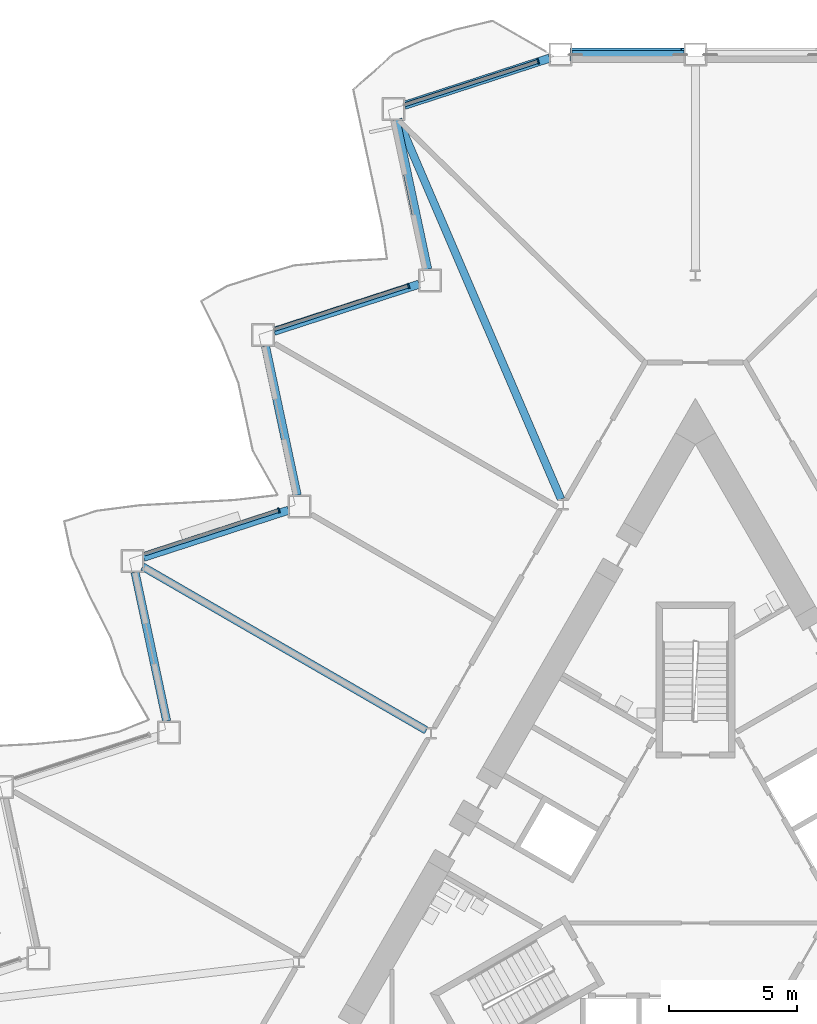
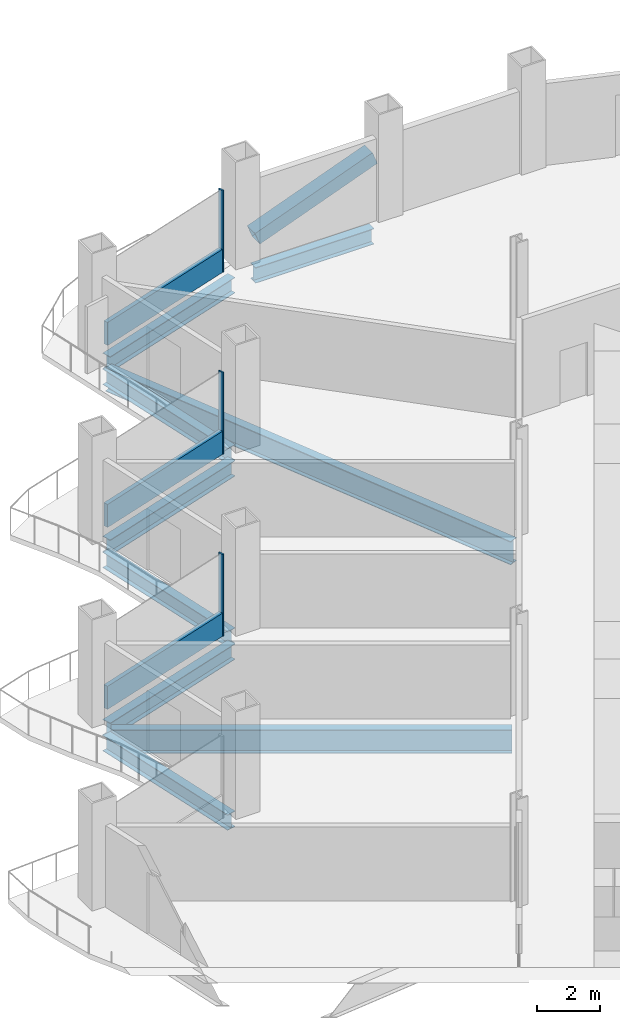
# One storey, part 7 of 21: 9 beams, 7 members, 3 elements without a shape of their own.
"""IFC4 building model written with IfcOpenShell, lengths in metres."""

from ifc_helpers import new_model, si_unit, direction, frame, origin, origin_2d, place, context, subcontext, project, spatial, rectangle, hollow_rectangle, i_section, extrude, material, layer, layer_set, material_profile, profile_set, type_object, element, aggregate, save


model = new_model("IFC4")

# Units and contexts
model_context = context("Model", 3, precision=1e-05, world=origin(), true_north=direction((0.0, 1.0)))
body_context = subcontext(model_context, "Body", "Model", "MODEL_VIEW")
ifc_project = project(units=[si_unit("LENGTHUNIT", "METRE"), si_unit("AREAUNIT", "SQUARE_METRE"), si_unit("VOLUMEUNIT", "CUBIC_METRE"), si_unit("PLANEANGLEUNIT", "RADIAN"), si_unit("MASSUNIT", "GRAM", prefix="KILO")], contexts=[model_context])

# Site, building, storey
site_placement = place(None, origin())
site = spatial("IfcSite", under=ifc_project, at=site_placement, CompositionType="ELEMENT")
building_placement = place(site_placement, origin())
building = spatial("IfcBuilding", under=site, at=building_placement, Name="Cormorant Prow Tower", CompositionType="ELEMENT")
storey_placement = place(building_placement, frame((0.0, 0.0, 137.39990234375)))
storey = spatial("IfcBuildingStorey", under=building, at=storey_placement, Name="L29", CompositionType="ELEMENT", Elevation=137.39990234375)

# Member
ifc_material_1 = material(Name="Structural steel ASTM A500 Gr C", Category="steel")
ifc_material_profile_1 = material_profile(ifc_material_1, hollow_rectangle(XDim=0.508056640625, YDim=0.508056640625, WallThickness=0.014892578125, at=origin_2d()), Name="HSS20x20x5/8")
ifc_profile_set_1 = profile_set([ifc_material_profile_1], Name="Structural steel ASTM A500 Gr C")
member_type_1 = type_object("IfcMemberType", Name="Chamfer brace HSS20x20x5/8", PredefinedType="BRACE", material=ifc_profile_set_1)
member_1_placement = place(storey_placement, frame((-4.8017578125, 32.487060546875, 0.776611328125), z_axis=(0.935582009332, 0.0, 0.353109478511), x_axis=(0.0, 1.0, 0.0)))
element("IfcMember", 1, at=member_1_placement, inside=storey, type_object=member_type_1, Name="Chamfer brace BR1 at N01 L29", PredefinedType="BRACE", context=body_context, shape_type="SweptSolid", body=[
    extrude(hollow_rectangle(XDim=0.508056640625, YDim=0.508056640625, WallThickness=0.014892578125, at=origin_2d()), origin(), (0.0, 0.0, 1.0), 4.63232421875),
])

# Curtain wall, member
ifc_material_2 = material(Name="Aluminium 6063-T6", Category="aluminium")
ifc_layer = layer(ifc_material_2, 0.199951171875)
ifc_layer_set = layer_set([ifc_layer], Name="Aluminium 6063-T6")
curtain_wall_type = type_object("IfcCurtainWallType", Name="Office unitised curtain wall 200", PredefinedType="NOTDEFINED", material=ifc_layer_set)
curtain_wall_1_placement = place(storey_placement, origin())
curtain_wall_1 = element("IfcCurtainWall", 2, at=curtain_wall_1_placement, inside=storey, type_object=curtain_wall_type, Name="Office curtain wall WNW00", PredefinedType="NOTDEFINED")
ifc_material_3 = material(Name="Aluminium 6063-T6", Category="aluminium")
ifc_material_profile_2 = material_profile(ifc_material_3, rectangle(XDim=0.199951171875, YDim=0.06005859375, at=origin_2d()), Name="Office mullion 60x200")
ifc_profile_set_2 = profile_set([ifc_material_profile_2], Name="Aluminium 6063-T6")
member_type_2 = type_object("IfcMemberType", Name="Office mullion 60x200", PredefinedType="MULLION", material=ifc_profile_set_2)
member_2_placement = place(storey_placement, frame((-6.148193359375, 32.21826171875, 0.0), z_axis=(0.0, 0.0, 1.0), x_axis=(0.3090170088, -0.951056511608, 0.0)))
member_2 = element("IfcMember", 3, at=member_2_placement, type_object=member_type_2, Name="Office mullion WNW00", PredefinedType="MULLION", context=body_context, shape_type="SweptSolid", body=[
    extrude(rectangle(XDim=0.199951171875, YDim=0.06005859375, at=origin_2d()), origin(), (0.0, 0.0, 1.0), 3.18896484375),
])

curtain_wall_2_placement = place(storey_placement, origin())
curtain_wall_2 = element("IfcCurtainWall", 4, at=curtain_wall_2_placement, inside=storey, type_object=curtain_wall_type, Name="Office curtain wall WNW02", PredefinedType="NOTDEFINED")
member_3_placement = place(storey_placement, frame((-11.212890625, 23.4462890625, 0.0), z_axis=(0.0, 0.0, 1.0), x_axis=(0.3090170088, -0.951056511608, 0.0)))
member_3 = element("IfcMember", 5, at=member_3_placement, type_object=member_type_2, Name="Office mullion WNW02", PredefinedType="MULLION", context=body_context, shape_type="SweptSolid", body=[
    extrude(rectangle(XDim=0.199951171875, YDim=0.06005859375, at=origin_2d()), origin(), (0.0, 0.0, 1.0), 3.18896484375),
])

curtain_wall_3_placement = place(storey_placement, origin())
curtain_wall_3 = element("IfcCurtainWall", 6, at=curtain_wall_3_placement, inside=storey, type_object=curtain_wall_type, Name="Office curtain wall WNW04", PredefinedType="NOTDEFINED")
member_4_placement = place(storey_placement, frame((-16.27734375, 14.67431640625, 0.0), z_axis=(0.0, 0.0, 1.0), x_axis=(0.3090170088, -0.951056511608, 0.0)))
member_4 = element("IfcMember", 7, at=member_4_placement, type_object=member_type_2, Name="Office mullion WNW04", PredefinedType="MULLION", context=body_context, shape_type="SweptSolid", body=[
    extrude(rectangle(XDim=0.199951171875, YDim=0.06005859375, at=origin_2d()), origin(), (0.0, 0.0, 1.0), 3.18896484375),
])

# Member
ifc_material_4 = material(Name="Terracotta", Category="masonry")
ifc_material_profile_3 = material_profile(ifc_material_4, rectangle(XDim=0.159912109375, YDim=0.89990234375, at=origin_2d()), Name="Office terracotta spandrel rail 160x900")
ifc_profile_set_3 = profile_set([ifc_material_profile_3], Name="Terracotta")
member_type_3 = type_object("IfcMemberType", Name="Office terracotta spandrel rail 160x900", PredefinedType="USERDEFINED", material=ifc_profile_set_3)
member_5_placement = place(storey_placement, frame((-6.1767578125, 32.208984375, 0.4501953125), z_axis=(-0.951055990121, -0.309018613767, 0.0), x_axis=(0.309018613767, -0.951055990121, 0.0)))
member_5 = element("IfcMember", 8, at=member_5_placement, type_object=member_type_3, Name="Office spandrel rail WNW00", ObjectType="TRANSOM", PredefinedType="USERDEFINED", context=body_context, shape_type="SweptSolid", body=[
    extrude(rectangle(XDim=0.159912109375, YDim=0.89990234375, at=origin_2d()), origin(), (0.0, 0.0, 1.0), 5.48291015625),
])

aggregate(curtain_wall_1, [member_2, member_5])

member_6_placement = place(storey_placement, frame((-11.2412109375, 23.43701171875, 0.4501953125), z_axis=(-0.951060241863, -0.309005528021, 0.0), x_axis=(0.309005528021, -0.951060241863, 0.0)))
member_6 = element("IfcMember", 9, at=member_6_placement, type_object=member_type_3, Name="Office spandrel rail WNW02", ObjectType="TRANSOM", PredefinedType="USERDEFINED", context=body_context, shape_type="SweptSolid", body=[
    extrude(rectangle(XDim=0.159912109375, YDim=0.89990234375, at=origin_2d()), origin(), (0.0, 0.0, 1.0), 5.483154296875),
])

aggregate(curtain_wall_2, [member_3, member_6])

member_7_placement = place(storey_placement, frame((-16.305908203125, 14.6650390625, 0.4501953125), z_axis=(-0.951055990121, -0.309018613767, 0.0), x_axis=(0.309018613767, -0.951055990121, 0.0)))
member_7 = element("IfcMember", 10, at=member_7_placement, type_object=member_type_3, Name="Office spandrel rail WNW04", ObjectType="TRANSOM", PredefinedType="USERDEFINED", context=body_context, shape_type="SweptSolid", body=[
    extrude(rectangle(XDim=0.159912109375, YDim=0.89990234375, at=origin_2d()), origin(), (0.0, 0.0, 1.0), 5.48291015625),
])

aggregate(curtain_wall_3, [member_4, member_7])

# Beams
ifc_material_5 = material(Name="Structural steel ASTM A992 Gr 50", Category="steel")
ifc_material_profile_4 = material_profile(ifc_material_5, i_section(OverallWidth=0.3046875, OverallDepth=0.914794921875, WebThickness=0.0166015625, FlangeThickness=0.02587890625, at=origin_2d()), Name="W36x160")
ifc_profile_set_4 = profile_set([ifc_material_profile_4], Name="Structural steel ASTM A992 Gr 50")
beam_type_1 = type_object("IfcBeamType", Name="Radial floor beam W36x160", PredefinedType="BEAM", material=ifc_profile_set_4)
beam_1_placement = place(storey_placement, frame((-5.25, 15.107666015625, -0.857177734375), z_axis=(-0.394273140268, 0.918993302948, 0.0), x_axis=(-0.918993302948, -0.394273140268, 0.0)))
element("IfcBeam", 11, at=beam_1_placement, inside=storey, type_object=beam_type_1, Name="Radial floor beam FB1 2 L29", PredefinedType="BEAM", context=body_context, shape_type="SweptSolid", body=[
    extrude(i_section(OverallWidth=0.3046875, OverallDepth=0.914794921875, WebThickness=0.0166015625, FlangeThickness=0.02587890625, at=origin_2d()), origin(), (0.0, 0.0, 1.0), 16.153564453125),
])
beam_2_placement = place(storey_placement, frame((-10.516845703125, 6.07177734375, -0.857177734375), z_axis=(-0.866021760006, 0.500006311156, 0.0), x_axis=(-0.500006311156, -0.866021760006, 0.0)))
element("IfcBeam", 12, at=beam_2_placement, inside=storey, type_object=beam_type_1, Name="Radial floor beam FB1 3 L29", PredefinedType="BEAM", context=body_context, shape_type="SweptSolid", body=[
    extrude(i_section(OverallWidth=0.3046875, OverallDepth=0.914794921875, WebThickness=0.0166015625, FlangeThickness=0.02587890625, at=origin_2d()), origin(), (0.0, 0.0, 1.0), 12.805419921875),
])
ifc_material_6 = material(Name="Structural steel ASTM A992 Gr 50", Category="steel")
ifc_material_profile_5 = material_profile(ifc_material_6, i_section(OverallWidth=0.32373046875, OverallDepth=0.611083984375, WebThickness=0.0126953125, FlangeThickness=0.01904296875, at=origin_2d()), Name="W24x104")
ifc_profile_set_5 = profile_set([ifc_material_profile_5], Name="Structural steel ASTM A992 Gr 50")
beam_type_2 = type_object("IfcBeamType", Name="Spandrel beam W24x104", PredefinedType="SPANDREL", material=ifc_profile_set_5)
beam_3_placement = place(storey_placement, frame((-0.449951171875, 32.487060546875, -0.70556640625), z_axis=(-1.0, 0.0, 0.0), x_axis=(0.0, -1.0, 0.0)))
element("IfcBeam", 13, at=beam_3_placement, inside=storey, type_object=beam_type_2, Name="Spandrel beam SB1 N01-WNW00 L29", PredefinedType="SPANDREL", context=body_context, shape_type="SweptSolid", body=[
    extrude(i_section(OverallWidth=0.32373046875, OverallDepth=0.611083984375, WebThickness=0.0126953125, FlangeThickness=0.01904296875, at=origin_2d()), origin(), (0.0, 0.0, 1.0), 4.36962890625),
])
beam_4_placement = place(storey_placement, frame((-5.69775390625, 32.347900390625, -0.70556640625), z_axis=(-0.951055430656, -0.309020335608, 0.0), x_axis=(0.309020335608, -0.951055430656, 0.0)))
element("IfcBeam", 14, at=beam_4_placement, inside=storey, type_object=beam_type_2, Name="Spandrel beam SB1 WNW00-WNW01 L29", PredefinedType="SPANDREL", context=body_context, shape_type="SweptSolid", body=[
    extrude(i_section(OverallWidth=0.32373046875, OverallDepth=0.611083984375, WebThickness=0.0126953125, FlangeThickness=0.01904296875, at=origin_2d()), origin(), (0.0, 0.0, 1.0), 5.96240234375),
])
beam_5_placement = place(storey_placement, frame((-11.702880859375, 29.926025390625, -0.70556640625), z_axis=(0.207920947907, -0.978145633033, 0.0), x_axis=(0.978145633033, 0.207920947907, 0.0)))
element("IfcBeam", 15, at=beam_5_placement, inside=storey, type_object=beam_type_2, Name="Spandrel beam SB1 WNW01-WNW02 L29", PredefinedType="SPANDREL", context=body_context, shape_type="SweptSolid", body=[
    extrude(i_section(OverallWidth=0.32373046875, OverallDepth=0.611083984375, WebThickness=0.0126953125, FlangeThickness=0.01904296875, at=origin_2d()), origin(), (0.0, 0.0, 1.0), 5.962646484375),
])
beam_6_placement = place(storey_placement, frame((-10.797607421875, 23.5146484375, -0.70556640625), z_axis=(-0.95104730696, -0.309045336358, 0.0), x_axis=(0.309045336358, -0.95104730696, 0.0)))
element("IfcBeam", 16, at=beam_6_placement, inside=storey, type_object=beam_type_2, Name="Spandrel beam SB1 WNW02-WNW03 L29", PredefinedType="SPANDREL", context=body_context, shape_type="SweptSolid", body=[
    extrude(i_section(OverallWidth=0.32373046875, OverallDepth=0.611083984375, WebThickness=0.0126953125, FlangeThickness=0.01904296875, at=origin_2d()), origin(), (0.0, 0.0, 1.0), 5.962890625),
])
for number, where, z_axis, x_axis, name in (
    (17, (-16.802734375, 21.0927734375, -0.70556640625), (0.207920947907, -0.978145633033, 0.0), (0.978145633033, 0.207920947907, 0.0), "Spandrel beam SB1 WNW03-WNW04 L29"),
    (18, (-15.8974609375, 14.68115234375, -0.70556640625), (-0.951059340519, -0.309008302174, 0.0), (0.309008302174, -0.951059340519, 0.0), "Spandrel beam SB1 WNW04-WNW05 L29"),
):
    element("IfcBeam", number, at=place(storey_placement, frame(where, z_axis=z_axis, x_axis=x_axis)), inside=storey, type_object=beam_type_2, Name=name, PredefinedType="SPANDREL", context=body_context, shape_type="SweptSolid", body=[
        extrude(i_section(OverallWidth=0.32373046875, OverallDepth=0.611083984375, WebThickness=0.0126953125, FlangeThickness=0.01904296875, at=origin_2d()), origin(), (0.0, 0.0, 1.0), 5.962646484375),
    ])
beam_7_placement = place(storey_placement, frame((-21.90283203125, 12.259521484375, -0.70556640625), z_axis=(0.207912620873, -0.978147403044, 0.0), x_axis=(0.978147403044, 0.207912620873, 0.0)))
element("IfcBeam", 19, at=beam_7_placement, inside=storey, type_object=beam_type_2, Name="Spandrel beam SB1 WNW05-WNW06 L29", PredefinedType="SPANDREL", context=body_context, shape_type="SweptSolid", body=[
    extrude(i_section(OverallWidth=0.32373046875, OverallDepth=0.611083984375, WebThickness=0.0126953125, FlangeThickness=0.01904296875, at=origin_2d()), origin(), (0.0, 0.0, 1.0), 5.962890625),
])

save(model, "model.ifc")
